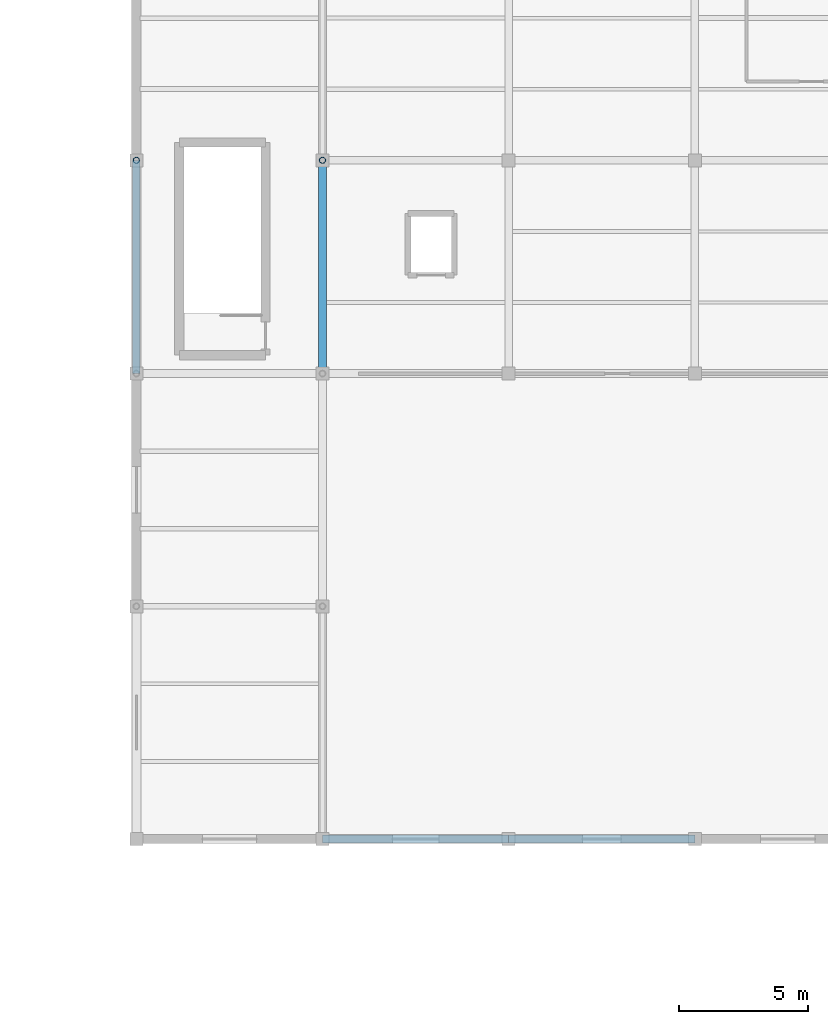
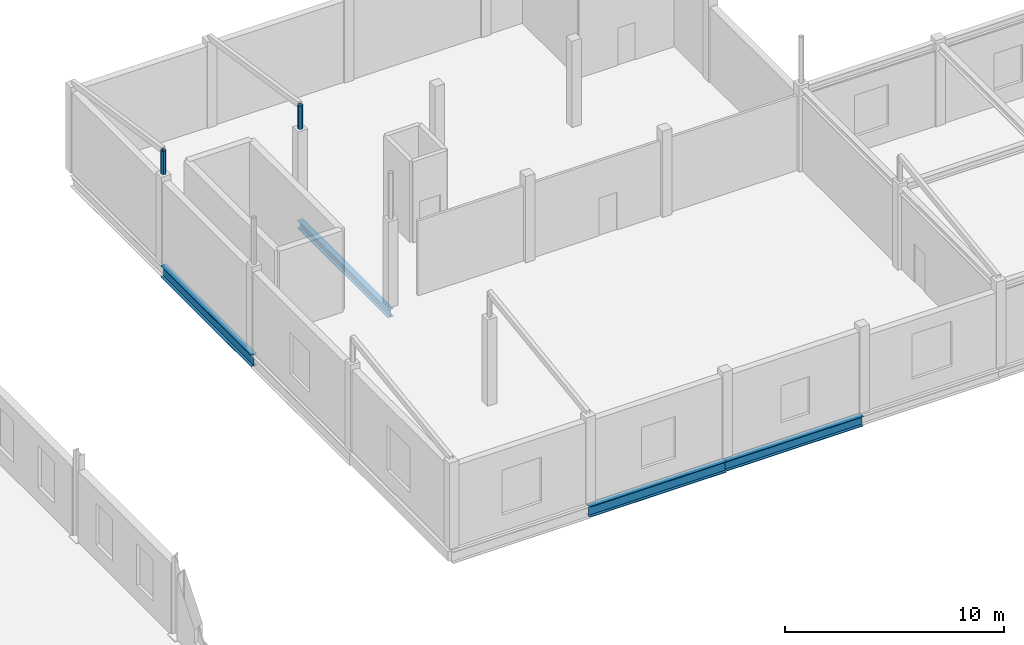
# One storey, part 10 of 35: 4 beams, 2 members.
"""IFC4 building model written with IfcOpenShell, lengths in metres."""

import ifcopenshell
import ifcopenshell.guid

model = None  # the IFC model being written
_history = None  # IfcOwnerHistory: only IFC2X3 demands one
_inside = {}  # id of a spatial element -> (the spatial element, [elements in it])
_under = {}  # id of a project, library or spatial element -> (it, [spatial elements below it])
_declared = {}  # id of a project -> (the project, [libraries it declares])
_typed = {}  # id of a type object -> (the type object, [elements of that type])
_made_of = {}  # id of a material, layer set ... -> (it, [elements and type objects made of it])


def new_model(schema):
    """Start an empty IFC model of exactly this schema.

    Asked for "IFC4X3", IfcOpenShell would pick the latest addendum, in which some entities
    have other attributes; the version numbers below select the first issue.
    IFC2X3 requires an IfcOwnerHistory on every rooted entity: one is made here for all.
    """
    global model, _history
    if schema == "IFC4X3":
        model = ifcopenshell.file(schema_version=(4, 3, 0, 0))
    else:
        model = ifcopenshell.file(schema=schema)
    _inside.clear()
    _under.clear()
    _declared.clear()
    _typed.clear()
    _made_of.clear()
    _history = None
    if model.schema == "IFC2X3":
        org = make("IfcOrganization", Name="unknown")
        user = make(
            "IfcPersonAndOrganization",
            ThePerson=make("IfcPerson", FamilyName="unknown"),
            TheOrganization=org,
        )
        app = make(
            "IfcApplication",
            ApplicationDeveloper=org,
            Version="unknown",
            ApplicationFullName="unknown",
            ApplicationIdentifier="unknown",
        )
        _history = make(
            "IfcOwnerHistory",
            OwningUser=user,
            OwningApplication=app,
            ChangeAction="ADDED",
            CreationDate=0,
        )
    return model


def make(cls, **values):
    """One entity of the class cls with the attributes given. An attribute that is None is left unset."""
    return model.create_entity(
        cls, **{name: value for name, value in values.items() if value is not None}
    )


def rooted(cls, **values):
    """An entity with a GlobalId (a new one), such as an element, a storey or a relation."""
    return make(cls, GlobalId=ifcopenshell.guid.new(), OwnerHistory=_history, **values)


def si_unit(unit_type, name, prefix=None):
    """IfcSIUnit, for example si_unit("LENGTHUNIT", "METRE", prefix="MILLI")."""
    return make("IfcSIUnit", UnitType=unit_type, Prefix=prefix, Name=name)


def assignment(units):
    """IfcUnitAssignment: the units of a project."""
    return None if units is None else make("IfcUnitAssignment", Units=units)


def point(xyz):
    """IfcCartesianPoint."""
    return None if xyz is None else make("IfcCartesianPoint", Coordinates=xyz)


def direction(xyz):
    """IfcDirection."""
    return None if xyz is None else make("IfcDirection", DirectionRatios=xyz)


def frame(location, z_axis=None, x_axis=None):
    """IfcAxis2Placement3D, a coordinate frame: its origin and axes. An axis left out is left unset."""
    return make(
        "IfcAxis2Placement3D",
        Location=point(location),
        Axis=direction(z_axis),
        RefDirection=direction(x_axis),
    )


def frame_2d(location, x_axis=None):
    """IfcAxis2Placement2D, a coordinate frame in the plane: its origin and x axis."""
    return make(
        "IfcAxis2Placement2D", Location=point(location), RefDirection=direction(x_axis)
    )


def origin():
    """The frame at (0, 0, 0) with its axes left unset."""
    return frame((0.0, 0.0, 0.0))


def origin_2d():
    """The frame at (0, 0) in the plane with its x axis left unset."""
    return frame_2d((0.0, 0.0))


def place(relative_to, where):
    """IfcLocalPlacement: puts the frame where relative to a parent placement (None: the world)."""
    return make(
        "IfcLocalPlacement", PlacementRelTo=relative_to, RelativePlacement=where
    )


def context(
    kind, dimensions, precision=None, world=None, true_north=None, identifier=None
):
    """IfcGeometricRepresentationContext, for example the 3D "Model" context."""
    return make(
        "IfcGeometricRepresentationContext",
        ContextIdentifier=identifier,
        ContextType=kind,
        CoordinateSpaceDimension=dimensions,
        Precision=precision,
        WorldCoordinateSystem=world,
        TrueNorth=true_north,
    )


def subcontext(parent, identifier, kind, view, scale=None):
    """IfcGeometricRepresentationSubContext, for example "Body" below "Model"."""
    return make(
        "IfcGeometricRepresentationSubContext",
        ContextIdentifier=identifier,
        ContextType=kind,
        ParentContext=parent,
        TargetScale=scale,
        TargetView=view,
    )


def project(units=None, contexts=None):
    """IfcProject with its units and contexts."""
    return rooted(
        "IfcProject",
        Name="project",
        RepresentationContexts=contexts,
        UnitsInContext=assignment(units),
    )


def spatial(cls, under=None, at=None, **own):
    """A site, building, storey or space (cls), placed at a placement, below another one or the project."""
    s = rooted(cls, ObjectPlacement=at, **own)
    if under is not None:
        _under.setdefault(under.id(), (under, []))[1].append(s)
    return s


def profile(cls, at=None, kind="AREA", **sizes):
    """A parametric profile (cls). Its sizes go by their IFC names, for example OverallWidth=200.0."""
    return make(cls, ProfileType=kind, Position=at, **sizes)


def hollow_circle(**sizes):
    """IfcCircleHollowProfileDef."""
    return profile("IfcCircleHollowProfileDef", **sizes)


def i_section(**sizes):
    """IfcIShapeProfileDef."""
    return profile("IfcIShapeProfileDef", **sizes)


def extrude(swept, where, along, depth):
    """IfcExtrudedAreaSolid: the profile swept, set in the frame where, extruded along a direction by depth."""
    return make(
        "IfcExtrudedAreaSolid",
        SweptArea=swept,
        Position=where,
        ExtrudedDirection=direction(along),
        Depth=depth,
    )


def shape(context_of_items, identifier, shape_type, items):
    """IfcShapeRepresentation: the items that make up one representation, for example the "Body"."""
    return make(
        "IfcShapeRepresentation",
        ContextOfItems=context_of_items,
        RepresentationIdentifier=identifier,
        RepresentationType=shape_type,
        Items=items,
    )


def material(Name=None, Category=None):
    """IfcMaterial."""
    return make("IfcMaterial", Name=Name, Category=Category)


def material_profile(
    of_material, cross_section, Name=None, Category=None, Priority=None
):
    """IfcMaterialProfile: a cross section and its material."""
    return make(
        "IfcMaterialProfile",
        Name=Name,
        Material=of_material,
        Profile=cross_section,
        Priority=Priority,
        Category=Category,
    )


def profile_set(profiles, Name=None, composite=None):
    """IfcMaterialProfileSet."""
    return make(
        "IfcMaterialProfileSet",
        Name=Name,
        MaterialProfiles=profiles,
        CompositeProfile=composite,
    )


def made_of(thing, what):
    """Note that an element or type object is made of a material, layer set ...; save() writes the relation."""
    if what is not None:
        _made_of.setdefault(what.id(), (what, []))[1].append(thing)
    return thing


def type_object(cls, material=None, **own):
    """A type object (cls), such as IfcWallType, which elements share."""
    return made_of(rooted(cls, **own), material)


def element(
    cls,
    number,
    at=None,
    inside=None,
    cuts=None,
    type_object=None,
    material=None,
    context=None,
    identifier="Body",
    shape_type=None,
    held_by="IfcProductDefinitionShape",
    body=None,
    shapes=None,
    **own,
):
    """One element of the class cls, such as IfcWall. Its Tag is "e" and its number.

    at: its placement. inside: the storey or other place that contains it. cuts: it is an
    opening in that element (IfcRelVoidsElement). A single representation is given by context,
    identifier, shape_type and body (its items); several are given by shapes. held_by: the class
    of the entity that holds the representations. save() writes the other relations.
    """
    e = rooted(cls, Tag="e%d" % number, ObjectPlacement=at, **own)
    if body is not None:
        shapes = [shape(context, identifier, shape_type, body)]
    if shapes is not None:
        e.Representation = make(held_by, Representations=shapes)
    if inside is not None:
        _inside.setdefault(inside.id(), (inside, []))[1].append(e)
    if cuts is not None:
        rooted(
            "IfcRelVoidsElement", RelatingBuildingElement=cuts, RelatedOpeningElement=e
        )
    if type_object is not None:
        _typed.setdefault(type_object.id(), (type_object, []))[1].append(e)
    return made_of(e, material)


def aggregate(whole, parts):
    """IfcRelAggregates: a whole, such as a stair, and the parts it consists of."""
    return rooted("IfcRelAggregates", RelatingObject=whole, RelatedObjects=parts)


def save(model, path):
    """Write the relations noted so far, then the file.

    IfcRelAggregates (storeys below a building ...), IfcRelContainedInSpatialStructure (elements
    in a storey), IfcRelDefinesByType, IfcRelAssociatesMaterial and IfcRelDeclares: one each for
    every whole, place, type object, material and project.
    """
    for whole, parts in _under.values():
        aggregate(whole, parts)
    for where, things in _inside.values():
        rooted(
            "IfcRelContainedInSpatialStructure",
            RelatedElements=things,
            RelatingStructure=where,
        )
    for kind, things in _typed.values():
        rooted("IfcRelDefinesByType", RelatedObjects=things, RelatingType=kind)
    for what, things in _made_of.values():
        rooted("IfcRelAssociatesMaterial", RelatedObjects=things, RelatingMaterial=what)
    for by, libraries in _declared.values():
        rooted("IfcRelDeclares", RelatingContext=by, RelatedDefinitions=libraries)
    model.write(path)


model = new_model("IFC4")

# Units and contexts
model_context = context("Model", 3, precision=1e-05, world=origin(), true_north=direction((0.0, 1.0)))
body_context = subcontext(model_context, "Body", "Model", "MODEL_VIEW")
ifc_project = project(units=[si_unit("LENGTHUNIT", "METRE"), si_unit("AREAUNIT", "SQUARE_METRE"), si_unit("VOLUMEUNIT", "CUBIC_METRE"), si_unit("PLANEANGLEUNIT", "RADIAN"), si_unit("MASSUNIT", "GRAM", prefix="KILO")], contexts=[model_context])

# Site, building, storey
site_placement = place(None, origin())
site = spatial("IfcSite", under=ifc_project, at=site_placement, CompositionType="ELEMENT")
building_placement = place(site_placement, origin())
building = spatial("IfcBuilding", under=site, at=building_placement, Name="Sundgate Opera House", CompositionType="ELEMENT")
storey_placement = place(building_placement, frame((0.0, 0.0, 21.60009765625)))
storey = spatial("IfcBuildingStorey", under=building, at=storey_placement, Name="L04", CompositionType="ELEMENT", Elevation=21.60009765625)

# Beams
ifc_material_1 = material(Name="Steel S355J2", Category="steel")
ifc_material_profile_1 = material_profile(ifc_material_1, i_section(OverallWidth=0.300048828125, OverallDepth=0.449951171875, WebThickness=0.013916015625, FlangeThickness=0.02587890625, at=origin_2d()), Name="HEB 450")
ifc_profile_set_1 = profile_set([ifc_material_profile_1], Name="Steel S355J2")
beam_type_1 = type_object("IfcBeamType", Name="BM-GR-HEB450", PredefinedType="BEAM", material=ifc_profile_set_1)
beam_1_placement = place(storey_placement, frame((102.60009765625, 87.0, -0.505126953125), z_axis=(0.0, 1.0, 0.0), x_axis=(-1.0, 0.0, 0.0)))
element("IfcBeam", 1, at=beam_1_placement, inside=storey, type_object=beam_type_1, Name="L04 Primary N-S Girder B2926", PredefinedType="BEAM", context=body_context, shape_type="SweptSolid", body=[
    extrude(i_section(OverallWidth=0.300048828125, OverallDepth=0.449951171875, WebThickness=0.013916015625, FlangeThickness=0.02587890625, at=origin_2d()), origin(), (0.0, 0.0, 1.0), 8.25),
])
ifc_material_2 = material(Name="Steel S355J2", Category="steel")
ifc_material_profile_2 = material_profile(ifc_material_2, i_section(OverallWidth=0.300048828125, OverallDepth=0.550048828125, WebThickness=0.014892578125, FlangeThickness=0.029052734375, at=origin_2d()), Name="HEB 550")
ifc_profile_set_2 = profile_set([ifc_material_profile_2], Name="Steel S355J2")
beam_type_2 = type_object("IfcBeamType", Name="BM-GR-HEB550", PredefinedType="BEAM", material=ifc_profile_set_2)
beam_2_placement = place(storey_placement, frame((109.800048828125, 69.0, -0.55517578125), z_axis=(1.0, 0.0, 0.0), x_axis=(0.0, 1.0, 0.0)))
element("IfcBeam", 2, at=beam_2_placement, inside=storey, type_object=beam_type_2, Name="L04 Primary E-W Girder B2968", PredefinedType="BEAM", context=body_context, shape_type="SweptSolid", body=[
    extrude(i_section(OverallWidth=0.300048828125, OverallDepth=0.550048828125, WebThickness=0.014892578125, FlangeThickness=0.029052734375, at=origin_2d()), origin(), (0.0, 0.0, 1.0), 7.199951171875),
])
ifc_material_3 = material(Name="Steel S355J2", Category="steel")
ifc_material_profile_3 = material_profile(ifc_material_3, i_section(OverallWidth=0.300048828125, OverallDepth=0.60009765625, WebThickness=0.015380859375, FlangeThickness=0.030029296875, at=origin_2d()), Name="HEB 600")
ifc_profile_set_3 = profile_set([ifc_material_profile_3], Name="Steel S355J2")
beam_type_3 = type_object("IfcBeamType", Name="BM-GR-HEB600", PredefinedType="BEAM", material=ifc_profile_set_3)
beam_3_placement = place(storey_placement, frame((102.60009765625, 69.0, -0.580078125), z_axis=(1.0, 0.0, 0.0), x_axis=(0.0, 1.0, 0.0)))
element("IfcBeam", 3, at=beam_3_placement, inside=storey, type_object=beam_type_3, Name="L04 Primary E-W Girder B2967", PredefinedType="BEAM", context=body_context, shape_type="SweptSolid", body=[
    extrude(i_section(OverallWidth=0.300048828125, OverallDepth=0.60009765625, WebThickness=0.015380859375, FlangeThickness=0.030029296875, at=origin_2d()), origin(), (0.0, 0.0, 1.0), 7.199951171875),
])
ifc_material_4 = material(Name="Steel S355J2", Category="steel")
ifc_material_profile_4 = material_profile(ifc_material_4, i_section(OverallWidth=0.300048828125, OverallDepth=0.64990234375, WebThickness=0.01611328125, FlangeThickness=0.031005859375, at=origin_2d()), Name="HEB 650")
ifc_profile_set_4 = profile_set([ifc_material_profile_4], Name="Steel S355J2")
beam_type_4 = type_object("IfcBeamType", Name="BM-GR-HEB650", PredefinedType="BEAM", material=ifc_profile_set_4)
beam_4_placement = place(storey_placement, frame((95.39990234375, 87.0, -0.60498046875), z_axis=(0.0, 1.0, 0.0), x_axis=(-1.0, 0.0, 0.0)))
element("IfcBeam", 4, at=beam_4_placement, inside=storey, type_object=beam_type_4, Name="L04 Primary N-S Girder B2922", PredefinedType="BEAM", context=body_context, shape_type="SweptSolid", body=[
    extrude(i_section(OverallWidth=0.300048828125, OverallDepth=0.64990234375, WebThickness=0.01611328125, FlangeThickness=0.031005859375, at=origin_2d()), origin(), (0.0, 0.0, 1.0), 8.25),
])

# Members
ifc_material_5 = material(Name="Steel S355J2", Category="steel")
ifc_material_profile_5 = material_profile(ifc_material_5, hollow_circle(Radius=0.122314453125, WallThickness=0.012451171875, at=origin_2d()), Name="CHS 244.5x12.5")
ifc_profile_set_5 = profile_set([ifc_material_profile_5], Name="Steel S355J2")
member_type = type_object("IfcMemberType", Name="MB-STRUT-CHS244", PredefinedType="STRUT", material=ifc_profile_set_5)
for number, where, z_axis, x_axis, name in (
    (5, (95.39990234375, 95.25, 4.789794921875), (0.0, 0.0, 1.0), (1.0, 0.0, 0.0), "L04 Conservatory Crown Post M0437"),
    (6, (102.60009765625, 95.25, 4.789794921875), (0.0, 0.0, 1.0), (1.0, 0.0, 0.0), "L04 Conservatory Crown Post M0444"),
):
    element("IfcMember", number, at=place(storey_placement, frame(where, z_axis=z_axis, x_axis=x_axis)), inside=storey, type_object=member_type, Name=name, PredefinedType="STRUT", context=body_context, shape_type="SweptSolid", body=[
        extrude(hollow_circle(Radius=0.122314453125, WallThickness=0.012451171875, at=origin_2d()), origin(), (0.0, 0.0, 1.0), 1.31005859375),
    ])

save(model, "model.ifc")
